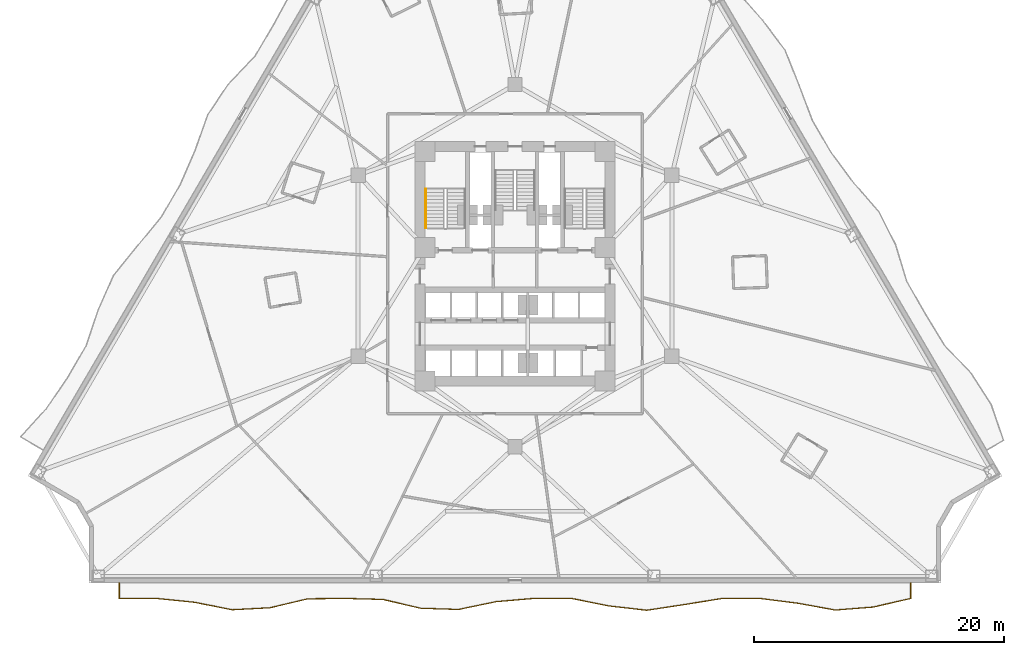
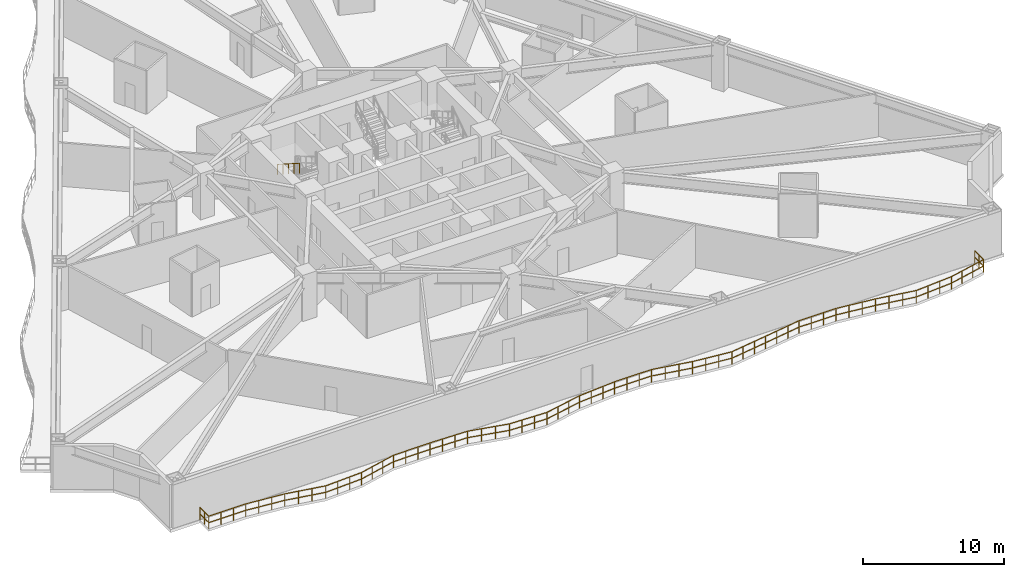
# One storey, part 8 of 12: 2 railings.
"""IFC4 building model written with IfcOpenShell, lengths in metres."""

from ifc_helpers import new_model, si_unit, direction, frame, origin, origin_2d, place, context, subcontext, project, spatial, rectangle, extrude, material, type_object, element, save


model = new_model("IFC4")

# Units and contexts
model_context = context("Model", 3, precision=1e-05, world=origin(), true_north=direction((0.0, 1.0)))
body_context = subcontext(model_context, "Body", "Model", "MODEL_VIEW")
ifc_project = project(units=[si_unit("LENGTHUNIT", "METRE"), si_unit("AREAUNIT", "SQUARE_METRE"), si_unit("VOLUMEUNIT", "CUBIC_METRE"), si_unit("PLANEANGLEUNIT", "RADIAN"), si_unit("MASSUNIT", "GRAM", prefix="KILO")], contexts=[model_context])

# Site, building, storey
site_placement = place(None, origin())
site = spatial("IfcSite", under=ifc_project, at=site_placement, CompositionType="ELEMENT")
building_placement = place(site_placement, origin())
building = spatial("IfcBuilding", under=site, at=building_placement, Name="Apsidion Concourse Tower", CompositionType="ELEMENT")
storey_placement = place(building_placement, frame((0.0, 0.0, 50.39990234375)))
storey = spatial("IfcBuildingStorey", under=building, at=storey_placement, Name="L10", CompositionType="ELEMENT", Elevation=50.39990234375)

# Railings
ifc_material = material(Name="Brushed stainless steel 316", Category="steel")
railing_type_1 = type_object("IfcRailingType", Name="RL-BAL-1120", PredefinedType="BALUSTRADE", material=ifc_material)
railing_1_placement = place(storey_placement, frame((31.68798828125, -25.39990234375, 0.0)))
element("IfcRailing", 1, at=railing_1_placement, inside=storey, type_object=railing_type_1, Name="L10 Face 2 Rippling Balcony Balustrade", PredefinedType="BALUSTRADE", context=body_context, shape_type="SweptSolid", body=[
    extrude(rectangle(XDim=0.048095703125, YDim=0.048095703125, at=origin_2d()), frame((0.0, 0.0, 1.09619140625), z_axis=(0.0, -1.0, 0.0), x_axis=(1.0, 0.0, 0.0)), (0.0, 0.0, 1.0), 1.25),
    extrude(rectangle(XDim=0.048095703125, YDim=0.048095703125, at=origin_2d()), frame((0.0, 0.0, 0.5361328125), z_axis=(0.0, -1.0, 0.0), x_axis=(1.0, 0.0, 0.0)), (0.0, 0.0, 1.0), 1.25),
    extrude(rectangle(XDim=0.048095703125, YDim=0.048095703125, at=origin_2d()), frame((0.0, -1.25, 1.09619140625), z_axis=(-0.974796310065, -0.223096736605, 0.0), x_axis=(0.223096736605, -0.974796310065, 0.0)), (0.0, 0.0, 1.0), 3.095947265625),
    extrude(rectangle(XDim=0.048095703125, YDim=0.048095703125, at=origin_2d()), frame((0.0, -1.25, 0.5361328125), z_axis=(-0.974796310065, -0.223096736605, 0.0), x_axis=(0.223096736605, -0.974796310065, 0.0)), (0.0, 0.0, 1.0), 3.095947265625),
    extrude(rectangle(XDim=0.048095703125, YDim=0.048095703125, at=origin_2d()), frame((-3.017822265625, -1.940673828125, 1.09619140625), z_axis=(-0.996909960096, -0.078552730453, 0.0), x_axis=(0.078552730453, -0.996909960096, 0.0)), (0.0, 0.0, 1.0), 3.027099609375),
    extrude(rectangle(XDim=0.048095703125, YDim=0.048095703125, at=origin_2d()), frame((-3.017822265625, -1.940673828125, 0.5361328125), z_axis=(-0.996909960096, -0.078552730453, 0.0), x_axis=(0.078552730453, -0.996909960096, 0.0)), (0.0, 0.0, 1.0), 3.027099609375),
    extrude(rectangle(XDim=0.048095703125, YDim=0.048095703125, at=origin_2d()), frame((-6.03564453125, -2.178466796875, 1.09619140625), z_axis=(-0.98400210371, 0.178156840717, 0.0), x_axis=(-0.178156840717, -0.98400210371, 0.0)), (0.0, 0.0, 1.0), 3.06689453125),
    extrude(rectangle(XDim=0.048095703125, YDim=0.048095703125, at=origin_2d()), frame((-6.03564453125, -2.178466796875, 0.5361328125), z_axis=(-0.98400210371, 0.178156840717, 0.0), x_axis=(-0.178156840717, -0.98400210371, 0.0)), (0.0, 0.0, 1.0), 3.06689453125),
    extrude(rectangle(XDim=0.048095703125, YDim=0.048095703125, at=origin_2d()), frame((-9.053466796875, -1.632080078125, 1.09619140625), z_axis=(-0.992081574155, 0.125595183915, 0.0), x_axis=(-0.125595183915, -0.992081574155, 0.0)), (0.0, 0.0, 1.0), 3.042236328125),
    extrude(rectangle(XDim=0.048095703125, YDim=0.048095703125, at=origin_2d()), frame((-9.053466796875, -1.632080078125, 0.5361328125), z_axis=(-0.992081574155, 0.125595183915, 0.0), x_axis=(-0.125595183915, -0.992081574155, 0.0)), (0.0, 0.0, 1.0), 3.042236328125),
    extrude(rectangle(XDim=0.048095703125, YDim=0.048095703125, at=origin_2d()), frame((-12.071533203125, -1.25, 1.09619140625), z_axis=(-1.0, 0.0, 0.0), x_axis=(0.0, -1.0, 0.0)), (0.0, 0.0, 1.0), 3.01806640625),
    extrude(rectangle(XDim=0.048095703125, YDim=0.048095703125, at=origin_2d()), frame((-12.071533203125, -1.25, 0.5361328125), z_axis=(-1.0, 0.0, 0.0), x_axis=(0.0, -1.0, 0.0)), (0.0, 0.0, 1.0), 3.01806640625),
    extrude(rectangle(XDim=0.048095703125, YDim=0.048095703125, at=origin_2d()), frame((-15.089599609375, -1.25, 1.09619140625), z_axis=(-0.987375249277, -0.158398602, 0.0), x_axis=(0.158398602, -0.987375249277, 0.0)), (0.0, 0.0, 1.0), 3.056396484375),
    extrude(rectangle(XDim=0.048095703125, YDim=0.048095703125, at=origin_2d()), frame((-15.089599609375, -1.25, 0.5361328125), z_axis=(-0.987375249277, -0.158398602, 0.0), x_axis=(0.158398602, -0.987375249277, 0.0)), (0.0, 0.0, 1.0), 3.056396484375),
    extrude(rectangle(XDim=0.048095703125, YDim=0.048095703125, at=origin_2d()), frame((-18.107421875, -1.734130859375, 1.09619140625), z_axis=(-0.988440006482, -0.151612511309, 0.0), x_axis=(0.151612511309, -0.988440006482, 0.0)), (0.0, 0.0, 1.0), 3.05322265625),
    extrude(rectangle(XDim=0.048095703125, YDim=0.048095703125, at=origin_2d()), frame((-18.107421875, -1.734130859375, 0.5361328125), z_axis=(-0.988440006482, -0.151612511309, 0.0), x_axis=(0.151612511309, -0.988440006482, 0.0)), (0.0, 0.0, 1.0), 3.05322265625),
    extrude(rectangle(XDim=0.048095703125, YDim=0.048095703125, at=origin_2d()), frame((-21.125244140625, -2.197021484375, 1.09619140625), z_axis=(-0.993547949006, 0.113412843301, 0.0), x_axis=(-0.113412843301, -0.993547949006, 0.0)), (0.0, 0.0, 1.0), 3.037353515625),
    extrude(rectangle(XDim=0.048095703125, YDim=0.048095703125, at=origin_2d()), frame((-21.125244140625, -2.197021484375, 0.5361328125), z_axis=(-0.993547949006, 0.113412843301, 0.0), x_axis=(-0.113412843301, -0.993547949006, 0.0)), (0.0, 0.0, 1.0), 3.037353515625),
    extrude(rectangle(XDim=0.048095703125, YDim=0.048095703125, at=origin_2d()), frame((-24.14306640625, -1.8525390625, 1.09619140625), z_axis=(-0.980647741607, 0.195780506899, 0.0), x_axis=(-0.195780506899, -0.980647741607, 0.0)), (0.0, 0.0, 1.0), 3.07763671875),
    extrude(rectangle(XDim=0.048095703125, YDim=0.048095703125, at=origin_2d()), frame((-24.14306640625, -1.8525390625, 0.5361328125), z_axis=(-0.980647741607, 0.195780506899, 0.0), x_axis=(-0.195780506899, -0.980647741607, 0.0)), (0.0, 0.0, 1.0), 3.07763671875),
    extrude(rectangle(XDim=0.048095703125, YDim=0.048095703125, at=origin_2d()), frame((-27.1611328125, -1.25, 1.09619140625), z_axis=(-1.0, 0.0, 0.0), x_axis=(0.0, -1.0, 0.0)), (0.0, 0.0, 1.0), 3.017822265625),
    extrude(rectangle(XDim=0.048095703125, YDim=0.048095703125, at=origin_2d()), frame((-27.1611328125, -1.25, 0.5361328125), z_axis=(-1.0, 0.0, 0.0), x_axis=(0.0, -1.0, 0.0)), (0.0, 0.0, 1.0), 3.017822265625),
    extrude(rectangle(XDim=0.048095703125, YDim=0.048095703125, at=origin_2d()), frame((-30.178955078125, -1.25, 1.09619140625), z_axis=(-0.996466368548, -0.083992716068, 0.0), x_axis=(0.083992716068, -0.996466368548, 0.0)), (0.0, 0.0, 1.0), 3.02880859375),
    extrude(rectangle(XDim=0.048095703125, YDim=0.048095703125, at=origin_2d()), frame((-30.178955078125, -1.25, 0.5361328125), z_axis=(-0.996466368548, -0.083992716068, 0.0), x_axis=(0.083992716068, -0.996466368548, 0.0)), (0.0, 0.0, 1.0), 3.02880859375),
    extrude(rectangle(XDim=0.048095703125, YDim=0.048095703125, at=origin_2d()), frame((-33.197021484375, -1.50439453125, 1.09619140625), z_axis=(-0.978936252862, -0.20416614027, 0.0), x_axis=(0.20416614027, -0.978936252862, 0.0)), (0.0, 0.0, 1.0), 3.082763671875),
    extrude(rectangle(XDim=0.048095703125, YDim=0.048095703125, at=origin_2d()), frame((-33.197021484375, -1.50439453125, 0.5361328125), z_axis=(-0.978936252862, -0.20416614027, 0.0), x_axis=(0.20416614027, -0.978936252862, 0.0)), (0.0, 0.0, 1.0), 3.082763671875),
    extrude(rectangle(XDim=0.048095703125, YDim=0.048095703125, at=origin_2d()), frame((-36.21484375, -2.1337890625, 1.09619140625), z_axis=(-0.999463767492, 0.032744121164, 0.0), x_axis=(-0.032744121164, -0.999463767492, 0.0)), (0.0, 0.0, 1.0), 3.019775390625),
    extrude(rectangle(XDim=0.048095703125, YDim=0.048095703125, at=origin_2d()), frame((-36.21484375, -2.1337890625, 0.5361328125), z_axis=(-0.999463767492, 0.032744121164, 0.0), x_axis=(-0.032744121164, -0.999463767492, 0.0)), (0.0, 0.0, 1.0), 3.019775390625),
    extrude(rectangle(XDim=0.048095703125, YDim=0.048095703125, at=origin_2d()), frame((-39.23291015625, -2.034912109375, 1.09619140625), z_axis=(-0.97388013209, 0.227062740934, 0.0), x_axis=(-0.227062740934, -0.97388013209, 0.0)), (0.0, 0.0, 1.0), 3.098876953125),
    extrude(rectangle(XDim=0.048095703125, YDim=0.048095703125, at=origin_2d()), frame((-39.23291015625, -2.034912109375, 0.5361328125), z_axis=(-0.97388013209, 0.227062740934, 0.0), x_axis=(-0.227062740934, -0.97388013209, 0.0)), (0.0, 0.0, 1.0), 3.098876953125),
    extrude(rectangle(XDim=0.048095703125, YDim=0.048095703125, at=origin_2d()), frame((-42.250732421875, -1.331298828125, 1.09619140625), z_axis=(-0.999637327231, 0.026929797748, 0.0), x_axis=(-0.026929797748, -0.999637327231, 0.0)), (0.0, 0.0, 1.0), 3.018798828125),
    extrude(rectangle(XDim=0.048095703125, YDim=0.048095703125, at=origin_2d()), frame((-42.250732421875, -1.331298828125, 0.5361328125), z_axis=(-0.999637327231, 0.026929797748, 0.0), x_axis=(-0.026929797748, -0.999637327231, 0.0)), (0.0, 0.0, 1.0), 3.018798828125),
    extrude(rectangle(XDim=0.048095703125, YDim=0.048095703125, at=origin_2d()), frame((-45.2685546875, -1.25, 1.09619140625), z_axis=(-0.999948873094, -0.010111933431, 0.0), x_axis=(0.010111933431, -0.999948873094, 0.0)), (0.0, 0.0, 1.0), 3.01806640625),
    extrude(rectangle(XDim=0.048095703125, YDim=0.048095703125, at=origin_2d()), frame((-45.2685546875, -1.25, 0.5361328125), z_axis=(-0.999948873094, -0.010111933431, 0.0), x_axis=(0.010111933431, -0.999948873094, 0.0)), (0.0, 0.0, 1.0), 3.01806640625),
    extrude(rectangle(XDim=0.048095703125, YDim=0.048095703125, at=origin_2d()), frame((-48.286376953125, -1.280517578125, 1.09619140625), z_axis=(-0.97298916826, -0.230850770952, 0.0), x_axis=(0.230850770952, -0.97298916826, 0.0)), (0.0, 0.0, 1.0), 3.101806640625),
    extrude(rectangle(XDim=0.048095703125, YDim=0.048095703125, at=origin_2d()), frame((-48.286376953125, -1.280517578125, 0.5361328125), z_axis=(-0.97298916826, -0.230850770952, 0.0), x_axis=(0.230850770952, -0.97298916826, 0.0)), (0.0, 0.0, 1.0), 3.101806640625),
    extrude(rectangle(XDim=0.048095703125, YDim=0.048095703125, at=origin_2d()), frame((-51.304443359375, -1.99658203125, 1.09619140625), z_axis=(-0.998612021313, -0.05266906956, 0.0), x_axis=(0.05266906956, -0.998612021313, 0.0)), (0.0, 0.0, 1.0), 3.022216796875),
    extrude(rectangle(XDim=0.048095703125, YDim=0.048095703125, at=origin_2d()), frame((-51.304443359375, -1.99658203125, 0.5361328125), z_axis=(-0.998612021313, -0.05266906956, 0.0), x_axis=(0.05266906956, -0.998612021313, 0.0)), (0.0, 0.0, 1.0), 3.022216796875),
    extrude(rectangle(XDim=0.048095703125, YDim=0.048095703125, at=origin_2d()), frame((-54.322509765625, -2.15576171875, 1.09619140625), z_axis=(-0.981008707181, 0.193963698758, 0.0), x_axis=(-0.193963698758, -0.981008707181, 0.0)), (0.0, 0.0, 1.0), 3.076171875),
    extrude(rectangle(XDim=0.048095703125, YDim=0.048095703125, at=origin_2d()), frame((-54.322509765625, -2.15576171875, 0.5361328125), z_axis=(-0.981008707181, 0.193963698758, 0.0), x_axis=(-0.193963698758, -0.981008707181, 0.0)), (0.0, 0.0, 1.0), 3.076171875),
    extrude(rectangle(XDim=0.048095703125, YDim=0.048095703125, at=origin_2d()), frame((-57.34033203125, -1.55908203125, 1.09619140625), z_axis=(-0.994796089376, 0.101885919355, 0.0), x_axis=(-0.101885919355, -0.994796089376, 0.0)), (0.0, 0.0, 1.0), 3.03369140625),
    extrude(rectangle(XDim=0.048095703125, YDim=0.048095703125, at=origin_2d()), frame((-57.34033203125, -1.55908203125, 0.5361328125), z_axis=(-0.994796089376, 0.101885919355, 0.0), x_axis=(-0.101885919355, -0.994796089376, 0.0)), (0.0, 0.0, 1.0), 3.03369140625),
    extrude(rectangle(XDim=0.048095703125, YDim=0.048095703125, at=origin_2d()), frame((-60.358154296875, -1.25, 1.09619140625), z_axis=(-1.0, 0.0, 0.0), x_axis=(0.0, -1.0, 0.0)), (0.0, 0.0, 1.0), 3.017822265625),
    extrude(rectangle(XDim=0.048095703125, YDim=0.048095703125, at=origin_2d()), frame((-60.358154296875, -1.25, 0.5361328125), z_axis=(-1.0, 0.0, 0.0), x_axis=(0.0, -1.0, 0.0)), (0.0, 0.0, 1.0), 3.017822265625),
    extrude(rectangle(XDim=0.048095703125, YDim=0.048095703125, at=origin_2d()), frame((-63.3759765625, -1.25, 1.09619140625), z_axis=(0.0, 1.0, 0.0), x_axis=(-1.0, 0.0, 0.0)), (0.0, 0.0, 1.0), 1.25),
    extrude(rectangle(XDim=0.048095703125, YDim=0.048095703125, at=origin_2d()), frame((-63.3759765625, -1.25, 0.5361328125), z_axis=(0.0, 1.0, 0.0), x_axis=(-1.0, 0.0, 0.0)), (0.0, 0.0, 1.0), 1.25),
    extrude(rectangle(XDim=0.0419921875, YDim=0.0419921875, at=origin_2d()), origin(), (0.0, 0.0, 1.0), 1.072021484375),
    extrude(rectangle(XDim=0.0419921875, YDim=0.0419921875, at=origin_2d()), frame((0.0, -0.625, 0.0)), (0.0, 0.0, 1.0), 1.072021484375),
    extrude(rectangle(XDim=0.0419921875, YDim=0.0419921875, at=origin_2d()), frame((0.0, -1.25, 0.0)), (0.0, 0.0, 1.0), 1.072021484375),
    extrude(rectangle(XDim=0.0419921875, YDim=0.0419921875, at=origin_2d()), frame((-1.005859375, -1.480224609375, 0.0)), (0.0, 0.0, 1.0), 1.072021484375),
    extrude(rectangle(XDim=0.0419921875, YDim=0.0419921875, at=origin_2d()), frame((-2.011962890625, -1.71044921875, 0.0)), (0.0, 0.0, 1.0), 1.072021484375),
    extrude(rectangle(XDim=0.0419921875, YDim=0.0419921875, at=origin_2d()), frame((-3.017822265625, -1.940673828125, 0.0)), (0.0, 0.0, 1.0), 1.072021484375),
    extrude(rectangle(XDim=0.0419921875, YDim=0.0419921875, at=origin_2d()), frame((-4.023681640625, -2.02001953125, 0.0)), (0.0, 0.0, 1.0), 1.072021484375),
    extrude(rectangle(XDim=0.0419921875, YDim=0.0419921875, at=origin_2d()), frame((-5.02978515625, -2.09912109375, 0.0)), (0.0, 0.0, 1.0), 1.072021484375),
    extrude(rectangle(XDim=0.0419921875, YDim=0.0419921875, at=origin_2d()), frame((-6.03564453125, -2.178466796875, 0.0)), (0.0, 0.0, 1.0), 1.072021484375),
    extrude(rectangle(XDim=0.0419921875, YDim=0.0419921875, at=origin_2d()), frame((-7.04150390625, -1.996337890625, 0.0)), (0.0, 0.0, 1.0), 1.072021484375),
    extrude(rectangle(XDim=0.0419921875, YDim=0.0419921875, at=origin_2d()), frame((-8.047607421875, -1.814208984375, 0.0)), (0.0, 0.0, 1.0), 1.072021484375),
    extrude(rectangle(XDim=0.0419921875, YDim=0.0419921875, at=origin_2d()), frame((-9.053466796875, -1.632080078125, 0.0)), (0.0, 0.0, 1.0), 1.072021484375),
    extrude(rectangle(XDim=0.0419921875, YDim=0.0419921875, at=origin_2d()), frame((-10.0595703125, -1.504638671875, 0.0)), (0.0, 0.0, 1.0), 1.072021484375),
    extrude(rectangle(XDim=0.0419921875, YDim=0.0419921875, at=origin_2d()), frame((-11.0654296875, -1.37744140625, 0.0)), (0.0, 0.0, 1.0), 1.072021484375),
    extrude(rectangle(XDim=0.0419921875, YDim=0.0419921875, at=origin_2d()), frame((-12.071533203125, -1.25, 0.0)), (0.0, 0.0, 1.0), 1.072021484375),
    extrude(rectangle(XDim=0.0419921875, YDim=0.0419921875, at=origin_2d()), frame((-13.07763671875, -1.25, 0.0)), (0.0, 0.0, 1.0), 1.072021484375),
    extrude(rectangle(XDim=0.0419921875, YDim=0.0419921875, at=origin_2d()), frame((-14.08349609375, -1.25, 0.0)), (0.0, 0.0, 1.0), 1.072021484375),
    extrude(rectangle(XDim=0.0419921875, YDim=0.0419921875, at=origin_2d()), frame((-15.089599609375, -1.25, 0.0)), (0.0, 0.0, 1.0), 1.072021484375),
    extrude(rectangle(XDim=0.0419921875, YDim=0.0419921875, at=origin_2d()), frame((-16.095458984375, -1.411376953125, 0.0)), (0.0, 0.0, 1.0), 1.072021484375),
    extrude(rectangle(XDim=0.0419921875, YDim=0.0419921875, at=origin_2d()), frame((-17.1015625, -1.57275390625, 0.0)), (0.0, 0.0, 1.0), 1.072021484375),
    extrude(rectangle(XDim=0.0419921875, YDim=0.0419921875, at=origin_2d()), frame((-18.107421875, -1.734130859375, 0.0)), (0.0, 0.0, 1.0), 1.072021484375),
    extrude(rectangle(XDim=0.0419921875, YDim=0.0419921875, at=origin_2d()), frame((-19.11328125, -1.888427734375, 0.0)), (0.0, 0.0, 1.0), 1.072021484375),
    extrude(rectangle(XDim=0.0419921875, YDim=0.0419921875, at=origin_2d()), frame((-20.119384765625, -2.042724609375, 0.0)), (0.0, 0.0, 1.0), 1.072021484375),
    extrude(rectangle(XDim=0.0419921875, YDim=0.0419921875, at=origin_2d()), frame((-21.125244140625, -2.197021484375, 0.0)), (0.0, 0.0, 1.0), 1.072021484375),
    extrude(rectangle(XDim=0.0419921875, YDim=0.0419921875, at=origin_2d()), frame((-22.131103515625, -2.082275390625, 0.0)), (0.0, 0.0, 1.0), 1.072021484375),
    extrude(rectangle(XDim=0.0419921875, YDim=0.0419921875, at=origin_2d()), frame((-23.13720703125, -1.96728515625, 0.0)), (0.0, 0.0, 1.0), 1.072021484375),
    extrude(rectangle(XDim=0.0419921875, YDim=0.0419921875, at=origin_2d()), frame((-24.14306640625, -1.8525390625, 0.0)), (0.0, 0.0, 1.0), 1.072021484375),
    extrude(rectangle(XDim=0.0419921875, YDim=0.0419921875, at=origin_2d()), frame((-25.149169921875, -1.651611328125, 0.0)), (0.0, 0.0, 1.0), 1.072021484375),
    extrude(rectangle(XDim=0.0419921875, YDim=0.0419921875, at=origin_2d()), frame((-26.155029296875, -1.450927734375, 0.0)), (0.0, 0.0, 1.0), 1.072021484375),
    extrude(rectangle(XDim=0.0419921875, YDim=0.0419921875, at=origin_2d()), frame((-27.1611328125, -1.25, 0.0)), (0.0, 0.0, 1.0), 1.072021484375),
    extrude(rectangle(XDim=0.0419921875, YDim=0.0419921875, at=origin_2d()), frame((-28.1669921875, -1.25, 0.0)), (0.0, 0.0, 1.0), 1.072021484375),
    extrude(rectangle(XDim=0.0419921875, YDim=0.0419921875, at=origin_2d()), frame((-29.173095703125, -1.25, 0.0)), (0.0, 0.0, 1.0), 1.072021484375),
    extrude(rectangle(XDim=0.0419921875, YDim=0.0419921875, at=origin_2d()), frame((-30.178955078125, -1.25, 0.0)), (0.0, 0.0, 1.0), 1.072021484375),
    extrude(rectangle(XDim=0.0419921875, YDim=0.0419921875, at=origin_2d()), frame((-31.18505859375, -1.334716796875, 0.0)), (0.0, 0.0, 1.0), 1.072021484375),
    extrude(rectangle(XDim=0.0419921875, YDim=0.0419921875, at=origin_2d()), frame((-32.19091796875, -1.419677734375, 0.0)), (0.0, 0.0, 1.0), 1.072021484375),
    extrude(rectangle(XDim=0.0419921875, YDim=0.0419921875, at=origin_2d()), frame((-33.197021484375, -1.50439453125, 0.0)), (0.0, 0.0, 1.0), 1.072021484375),
    extrude(rectangle(XDim=0.0419921875, YDim=0.0419921875, at=origin_2d()), frame((-34.202880859375, -1.714111328125, 0.0)), (0.0, 0.0, 1.0), 1.072021484375),
    extrude(rectangle(XDim=0.0419921875, YDim=0.0419921875, at=origin_2d()), frame((-35.208984375, -1.924072265625, 0.0)), (0.0, 0.0, 1.0), 1.072021484375),
    extrude(rectangle(XDim=0.0419921875, YDim=0.0419921875, at=origin_2d()), frame((-36.21484375, -2.1337890625, 0.0)), (0.0, 0.0, 1.0), 1.072021484375),
    extrude(rectangle(XDim=0.0419921875, YDim=0.0419921875, at=origin_2d()), frame((-37.220947265625, -2.100830078125, 0.0)), (0.0, 0.0, 1.0), 1.072021484375),
    extrude(rectangle(XDim=0.0419921875, YDim=0.0419921875, at=origin_2d()), frame((-38.226806640625, -2.06787109375, 0.0)), (0.0, 0.0, 1.0), 1.072021484375),
    extrude(rectangle(XDim=0.0419921875, YDim=0.0419921875, at=origin_2d()), frame((-39.23291015625, -2.034912109375, 0.0)), (0.0, 0.0, 1.0), 1.072021484375),
    extrude(rectangle(XDim=0.0419921875, YDim=0.0419921875, at=origin_2d()), frame((-40.23876953125, -1.80029296875, 0.0)), (0.0, 0.0, 1.0), 1.072021484375),
    extrude(rectangle(XDim=0.0419921875, YDim=0.0419921875, at=origin_2d()), frame((-41.244873046875, -1.56591796875, 0.0)), (0.0, 0.0, 1.0), 1.072021484375),
    extrude(rectangle(XDim=0.0419921875, YDim=0.0419921875, at=origin_2d()), frame((-42.250732421875, -1.331298828125, 0.0)), (0.0, 0.0, 1.0), 1.072021484375),
    extrude(rectangle(XDim=0.0419921875, YDim=0.0419921875, at=origin_2d()), frame((-43.256591796875, -1.30419921875, 0.0)), (0.0, 0.0, 1.0), 1.072021484375),
    extrude(rectangle(XDim=0.0419921875, YDim=0.0419921875, at=origin_2d()), frame((-44.2626953125, -1.277099609375, 0.0)), (0.0, 0.0, 1.0), 1.072021484375),
    extrude(rectangle(XDim=0.0419921875, YDim=0.0419921875, at=origin_2d()), frame((-45.2685546875, -1.25, 0.0)), (0.0, 0.0, 1.0), 1.072021484375),
    extrude(rectangle(XDim=0.0419921875, YDim=0.0419921875, at=origin_2d()), frame((-46.2744140625, -1.26025390625, 0.0)), (0.0, 0.0, 1.0), 1.072021484375),
    extrude(rectangle(XDim=0.0419921875, YDim=0.0419921875, at=origin_2d()), frame((-47.280517578125, -1.270263671875, 0.0)), (0.0, 0.0, 1.0), 1.072021484375),
    extrude(rectangle(XDim=0.0419921875, YDim=0.0419921875, at=origin_2d()), frame((-48.286376953125, -1.280517578125, 0.0)), (0.0, 0.0, 1.0), 1.072021484375),
    extrude(rectangle(XDim=0.0419921875, YDim=0.0419921875, at=origin_2d()), frame((-49.29248046875, -1.519287109375, 0.0)), (0.0, 0.0, 1.0), 1.072021484375),
    extrude(rectangle(XDim=0.0419921875, YDim=0.0419921875, at=origin_2d()), frame((-50.29833984375, -1.7578125, 0.0)), (0.0, 0.0, 1.0), 1.072021484375),
    extrude(rectangle(XDim=0.0419921875, YDim=0.0419921875, at=origin_2d()), frame((-51.304443359375, -1.99658203125, 0.0)), (0.0, 0.0, 1.0), 1.072021484375),
    extrude(rectangle(XDim=0.0419921875, YDim=0.0419921875, at=origin_2d()), frame((-52.310546875, -2.049560546875, 0.0)), (0.0, 0.0, 1.0), 1.072021484375),
    extrude(rectangle(XDim=0.0419921875, YDim=0.0419921875, at=origin_2d()), frame((-53.31640625, -2.102783203125, 0.0)), (0.0, 0.0, 1.0), 1.072021484375),
    extrude(rectangle(XDim=0.0419921875, YDim=0.0419921875, at=origin_2d()), frame((-54.322509765625, -2.15576171875, 0.0)), (0.0, 0.0, 1.0), 1.072021484375),
    extrude(rectangle(XDim=0.0419921875, YDim=0.0419921875, at=origin_2d()), frame((-55.328369140625, -1.956787109375, 0.0)), (0.0, 0.0, 1.0), 1.072021484375),
    extrude(rectangle(XDim=0.0419921875, YDim=0.0419921875, at=origin_2d()), frame((-56.33447265625, -1.758056640625, 0.0)), (0.0, 0.0, 1.0), 1.072021484375),
    extrude(rectangle(XDim=0.0419921875, YDim=0.0419921875, at=origin_2d()), frame((-57.34033203125, -1.55908203125, 0.0)), (0.0, 0.0, 1.0), 1.072021484375),
    extrude(rectangle(XDim=0.0419921875, YDim=0.0419921875, at=origin_2d()), frame((-58.34619140625, -1.4560546875, 0.0)), (0.0, 0.0, 1.0), 1.072021484375),
    extrude(rectangle(XDim=0.0419921875, YDim=0.0419921875, at=origin_2d()), frame((-59.352294921875, -1.35302734375, 0.0)), (0.0, 0.0, 1.0), 1.072021484375),
    extrude(rectangle(XDim=0.0419921875, YDim=0.0419921875, at=origin_2d()), frame((-60.358154296875, -1.25, 0.0)), (0.0, 0.0, 1.0), 1.072021484375),
    extrude(rectangle(XDim=0.0419921875, YDim=0.0419921875, at=origin_2d()), frame((-61.364013671875, -1.25, 0.0)), (0.0, 0.0, 1.0), 1.072021484375),
    extrude(rectangle(XDim=0.0419921875, YDim=0.0419921875, at=origin_2d()), frame((-62.3701171875, -1.25, 0.0)), (0.0, 0.0, 1.0), 1.072021484375),
    extrude(rectangle(XDim=0.0419921875, YDim=0.0419921875, at=origin_2d()), frame((-63.3759765625, -1.25, 0.0)), (0.0, 0.0, 1.0), 1.072021484375),
    extrude(rectangle(XDim=0.0419921875, YDim=0.0419921875, at=origin_2d()), frame((-63.3759765625, -0.625, 0.0)), (0.0, 0.0, 1.0), 1.072021484375),
    extrude(rectangle(XDim=0.0419921875, YDim=0.0419921875, at=origin_2d()), frame((-63.3759765625, 0.0, 0.0)), (0.0, 0.0, 1.0), 1.072021484375),
])
railing_type_2 = type_object("IfcRailingType", Name="RL-HAND-900", PredefinedType="HANDRAIL", material=ifc_material)
railing_2_placement = place(storey_placement, frame((-7.14990234375, 6.135009765625, 2.166748046875)))
element("IfcRailing", 2, at=railing_2_placement, inside=storey, type_object=railing_type_2, Name="L10 ST1 stair handrail 2", PredefinedType="HANDRAIL", context=body_context, shape_type="SweptSolid", body=[
    extrude(rectangle(XDim=0.048095703125, YDim=0.048095703125, at=origin_2d()), frame((0.0, 0.0, 0.8759765625), z_axis=(0.0, -0.843052688722, 0.537830980921), x_axis=(1.0, 0.0, 0.0)), (0.0, 0.0, 1.0), 3.71875),
    extrude(rectangle(XDim=0.0419921875, YDim=0.0419921875, at=origin_2d()), origin(), (0.0, 0.0, 1.0), 0.851806640625),
    extrude(rectangle(XDim=0.0419921875, YDim=0.0419921875, at=origin_2d()), frame((0.0, -0.78369140625, 0.5)), (0.0, 0.0, 1.0), 0.851806640625),
    extrude(rectangle(XDim=0.0419921875, YDim=0.0419921875, at=origin_2d()), frame((0.0, -1.5673828125, 1.0)), (0.0, 0.0, 1.0), 0.851806640625),
    extrude(rectangle(XDim=0.0419921875, YDim=0.0419921875, at=origin_2d()), frame((0.0, -2.351318359375, 1.5)), (0.0, 0.0, 1.0), 0.851806640625),
    extrude(rectangle(XDim=0.0419921875, YDim=0.0419921875, at=origin_2d()), frame((0.0, -3.135009765625, 2.0)), (0.0, 0.0, 1.0), 0.851806640625),
])

save(model, "model.ifc")
